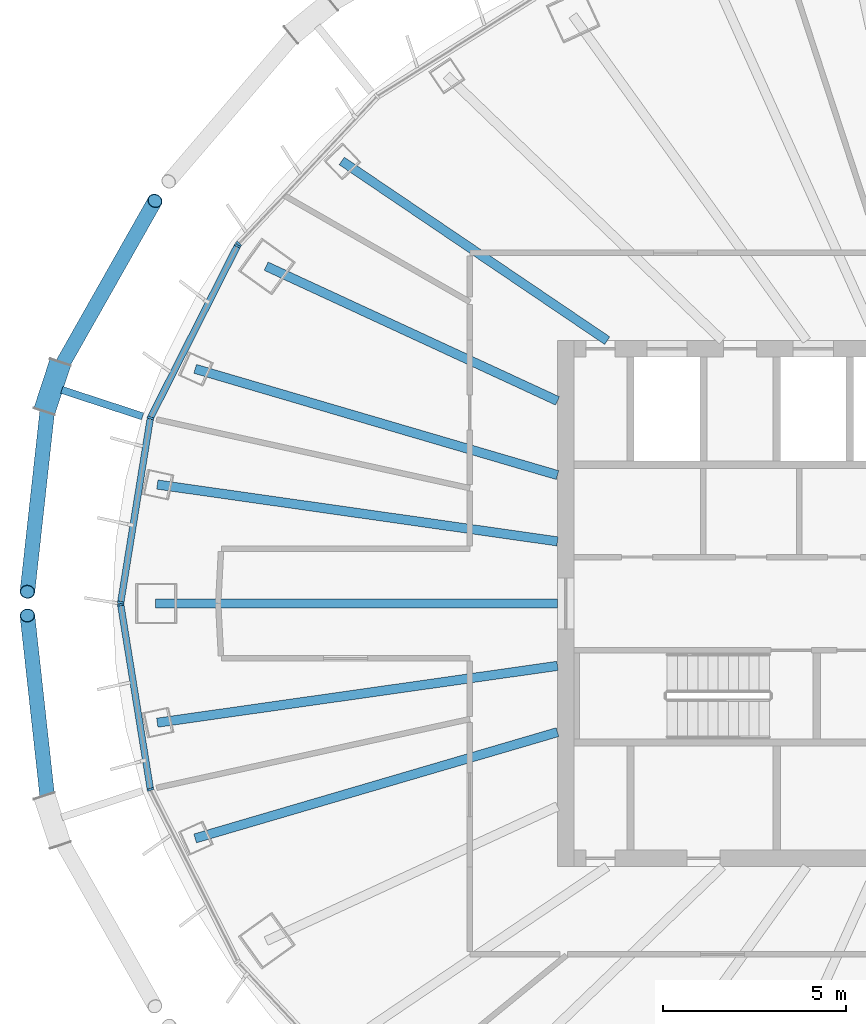
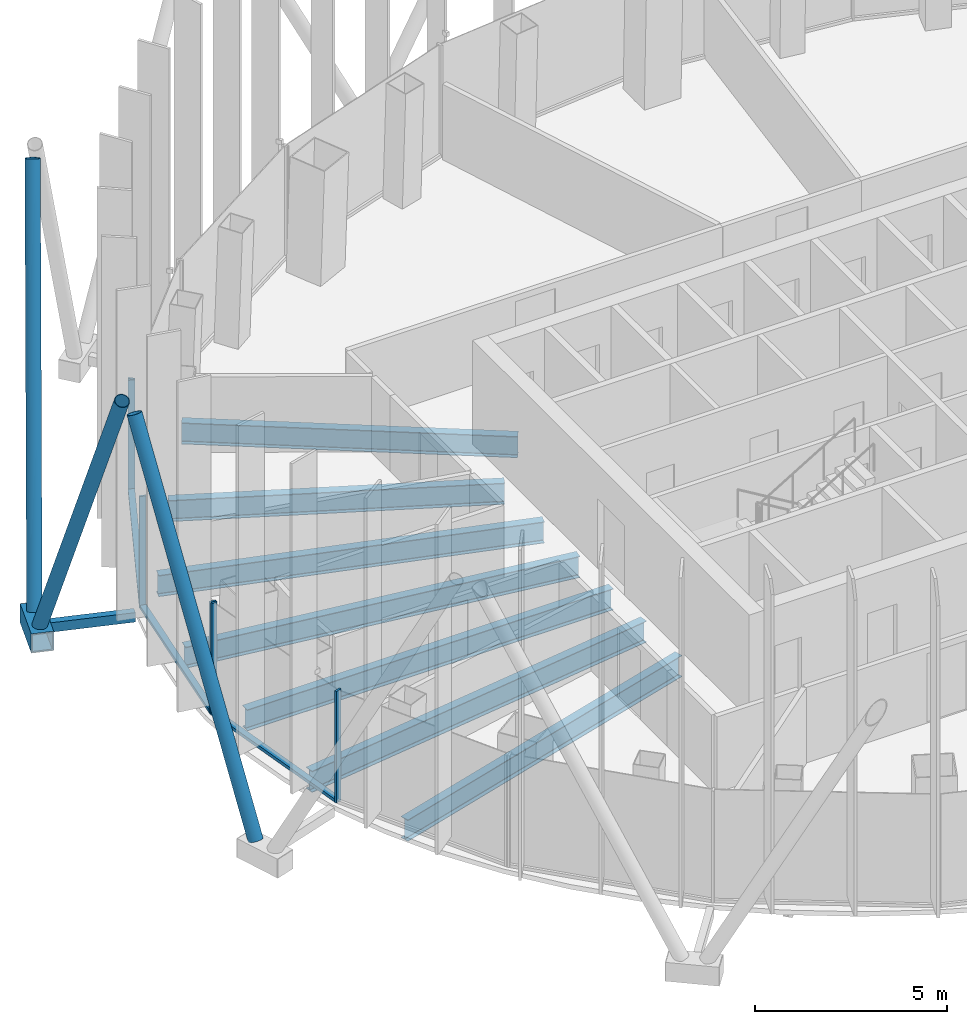
# One storey, part 4 of 18: 14 members, 7 beams, 3 elements without a shape of their own.
"""IFC4 building model written with IfcOpenShell, lengths in metres."""

from ifc_helpers import new_model, si_unit, direction, frame, origin, origin_2d, place, context, subcontext, project, spatial, rectangle, hollow_rectangle, hollow_circle, i_section, extrude, material, layer, layer_set, material_profile, profile_set, type_object, element, aggregate, save


model = new_model("IFC4")

# Units and contexts
model_context = context("Model", 3, precision=1e-05, world=origin(), true_north=direction((0.0, 1.0)))
body_context = subcontext(model_context, "Body", "Model", "MODEL_VIEW")
ifc_project = project(units=[si_unit("LENGTHUNIT", "METRE"), si_unit("AREAUNIT", "SQUARE_METRE"), si_unit("VOLUMEUNIT", "CUBIC_METRE"), si_unit("PLANEANGLEUNIT", "RADIAN"), si_unit("MASSUNIT", "GRAM", prefix="KILO")], contexts=[model_context])

# Site, building, storey
site_placement = place(None, origin())
site = spatial("IfcSite", under=ifc_project, at=site_placement, CompositionType="ELEMENT")
building_placement = place(site_placement, origin())
building = spatial("IfcBuilding", under=site, at=building_placement, Name="Siaravel Broadcast Tower", CompositionType="ELEMENT")
storey_placement = place(building_placement, frame((0.0, 0.0, 157.10009765625)))
storey = spatial("IfcBuildingStorey", under=building, at=storey_placement, Name="L37", CompositionType="ELEMENT", Elevation=157.10009765625)

# Beams
ifc_material_1 = material(Name="Steel S355", Category="steel")
ifc_material_profile_1 = material_profile(ifc_material_1, i_section(OverallWidth=0.2529296875, OverallDepth=0.677978515625, WebThickness=0.01171875, FlangeThickness=0.01611328125, FilletRadius=0.01513671875, at=origin_2d()))
ifc_profile_set_1 = profile_set([ifc_material_profile_1], Name="Steel S355")
beam_type = type_object("IfcBeamType", Name="BM-UB 686x254x125", PredefinedType="BEAM", material=ifc_profile_set_1)
beam_1_placement = place(storey_placement, frame((-17.906494140625, 12.119140625, -0.489013671875), z_axis=(0.82815695, -0.560496268, 0.0), x_axis=(0.560496268, 0.82815695, 0.0)))
element("IfcBeam", 1, at=beam_1_placement, inside=storey, type_object=beam_type, Name="Radial beam RB15", PredefinedType="BEAM", context=body_context, shape_type="SweptSolid", body=[
    extrude(i_section(OverallWidth=0.2529296875, OverallDepth=0.677978515625, WebThickness=0.01171875, FlangeThickness=0.01611328125, FilletRadius=0.01513671875, at=origin_2d()), origin(), (0.0, 0.0, 1.0), 8.7763671875),
])
beam_2_placement = place(storey_placement, frame((-19.976318359375, 9.238525390625, -0.489013671875), z_axis=(0.907641197, -0.419746896, 0.0), x_axis=(0.419746896, 0.907641197, 0.0)))
element("IfcBeam", 2, at=beam_2_placement, inside=storey, type_object=beam_type, Name="Radial beam RB16", PredefinedType="BEAM", context=body_context, shape_type="SweptSolid", body=[
    extrude(i_section(OverallWidth=0.2529296875, OverallDepth=0.677978515625, WebThickness=0.01171875, FlangeThickness=0.01611328125, FilletRadius=0.01513671875, at=origin_2d()), origin(), (0.0, 0.0, 1.0), 8.7880859375),
])
beam_3_placement = place(storey_placement, frame((-21.920166015625, 6.42822265625, -0.489013671875), z_axis=(0.9595882, -0.281408043, 0.0), x_axis=(0.281408043, 0.9595882, 0.0)))
element("IfcBeam", 3, at=beam_3_placement, inside=storey, type_object=beam_type, Name="Radial beam RB17", PredefinedType="BEAM", context=body_context, shape_type="SweptSolid", body=[
    extrude(i_section(OverallWidth=0.2529296875, OverallDepth=0.677978515625, WebThickness=0.01171875, FlangeThickness=0.01611328125, FilletRadius=0.01513671875, at=origin_2d()), origin(), (0.0, 0.0, 1.0), 10.337890625),
])
beam_4_placement = place(storey_placement, frame((-22.95654296875, 3.26025390625, -0.489013671875), z_axis=(0.990063886, -0.140618281, 0.0), x_axis=(0.140618281, 0.990063886, 0.0)))
element("IfcBeam", 4, at=beam_4_placement, inside=storey, type_object=beam_type, Name="Radial beam RB18", PredefinedType="BEAM", context=body_context, shape_type="SweptSolid", body=[
    extrude(i_section(OverallWidth=0.2529296875, OverallDepth=0.677978515625, WebThickness=0.01171875, FlangeThickness=0.01611328125, FilletRadius=0.01513671875, at=origin_2d()), origin(), (0.0, 0.0, 1.0), 11.06640625),
])
beam_5_placement = place(storey_placement, frame((-23.0048828125, 0.0, -0.489013671875), z_axis=(1.0, 0.0, 0.0), x_axis=(0.0, 1.0, 0.0)))
element("IfcBeam", 5, at=beam_5_placement, inside=storey, type_object=beam_type, Name="Radial beam RB19", PredefinedType="BEAM", context=body_context, shape_type="SweptSolid", body=[
    extrude(i_section(OverallWidth=0.2529296875, OverallDepth=0.677978515625, WebThickness=0.01171875, FlangeThickness=0.01611328125, FilletRadius=0.01513671875, at=origin_2d()), origin(), (0.0, 0.0, 1.0), 11.0048828125),
])
beam_6_placement = place(storey_placement, frame((-22.95654296875, -3.26025390625, -0.489013671875), z_axis=(0.990063886, 0.140618281, 0.0), x_axis=(-0.140618281, 0.990063886, 0.0)))
element("IfcBeam", 6, at=beam_6_placement, inside=storey, type_object=beam_type, Name="Radial beam RB20", PredefinedType="BEAM", context=body_context, shape_type="SweptSolid", body=[
    extrude(i_section(OverallWidth=0.2529296875, OverallDepth=0.677978515625, WebThickness=0.01171875, FlangeThickness=0.01611328125, FilletRadius=0.01513671875, at=origin_2d()), origin(), (0.0, 0.0, 1.0), 11.06640625),
])
beam_7_placement = place(storey_placement, frame((-21.920166015625, -6.42822265625, -0.489013671875), z_axis=(0.9595882, 0.281408043, 0.0), x_axis=(-0.281408043, 0.9595882, 0.0)))
element("IfcBeam", 7, at=beam_7_placement, inside=storey, type_object=beam_type, Name="Radial beam RB21", PredefinedType="BEAM", context=body_context, shape_type="SweptSolid", body=[
    extrude(i_section(OverallWidth=0.2529296875, OverallDepth=0.677978515625, WebThickness=0.01171875, FlangeThickness=0.01611328125, FilletRadius=0.01513671875, at=origin_2d()), origin(), (0.0, 0.0, 1.0), 10.337890625),
])

# Curtain wall, member
ifc_material_2 = material(Name="Aluminium 6063-T6", Category="aluminium")
ifc_layer = layer(ifc_material_2, 0.179931640625)
ifc_layer_set = layer_set([ifc_layer], Name="Aluminium 6063-T6")
curtain_wall_type = type_object("IfcCurtainWallType", Name="Unitised curtain wall, zone 3", PredefinedType="NOTDEFINED", material=ifc_layer_set)
curtain_wall_1_placement = place(storey_placement, origin())
curtain_wall_1 = element("IfcCurtainWall", 8, at=curtain_wall_1_placement, inside=storey, type_object=curtain_wall_type, Name="L37 Unitised curtain wall, zone 3 05", PredefinedType="NOTDEFINED")
ifc_material_profile_2 = material_profile(ifc_material_2, rectangle(XDim=0.179931640625, YDim=0.06005859375, at=origin_2d()))
ifc_profile_set_2 = profile_set([ifc_material_profile_2], Name="Aluminium 6063-T6")
member_type_1 = type_object("IfcMemberType", Name="CW-Z3 mullion", PredefinedType="MULLION", material=ifc_profile_set_2)
member_1_placement = place(storey_placement, frame((-20.7294921875, 9.844482421875, 0.0), z_axis=(0.0, 0.0, 1.0), x_axis=(0.729806172, -0.683654117, 0.0)))
member_1 = element("IfcMember", 9, at=member_1_placement, type_object=member_type_1, Name="CW-Z3 mullion 3", PredefinedType="MULLION", context=body_context, shape_type="SweptSolid", body=[
    extrude(rectangle(XDim=0.179931640625, YDim=0.06005859375, at=origin_2d()), origin(), (0.0, 0.0, 1.0), 3.5498046875),
])
aggregate(curtain_wall_1, [member_1])

# Curtain wall, members
curtain_wall_2_placement = place(storey_placement, origin())
curtain_wall_2 = element("IfcCurtainWall", 10, at=curtain_wall_2_placement, inside=storey, type_object=curtain_wall_type, Name="L37 Unitised curtain wall, zone 3 06", PredefinedType="NOTDEFINED")
member_2_placement = place(storey_placement, frame((-20.763427734375, 9.795654296875, 0.0), z_axis=(0.0, 0.0, 1.0), x_axis=(0.89239259, -0.451259864, 0.0)))
member_2 = element("IfcMember", 11, at=member_2_placement, type_object=member_type_1, Name="CW-Z3 mullion 1", PredefinedType="MULLION", context=body_context, shape_type="SweptSolid", body=[
    extrude(rectangle(XDim=0.179931640625, YDim=0.06005859375, at=origin_2d()), origin(), (0.0, 0.0, 1.0), 3.5498046875),
])
member_3_placement = place(storey_placement, frame((-23.1455078125, 5.085205078125, 0.0), z_axis=(0.0, 0.0, 1.0), x_axis=(0.951177457, -0.30864453, 0.0)))
member_3 = element("IfcMember", 12, at=member_3_placement, type_object=member_type_1, Name="CW-Z3 mullion 2", PredefinedType="MULLION", context=body_context, shape_type="SweptSolid", body=[
    extrude(rectangle(XDim=0.179931640625, YDim=0.06005859375, at=origin_2d()), origin(), (0.0, 0.0, 1.0), 3.5498046875),
])
member_4_placement = place(storey_placement, frame((-23.9580078125, 0.029541015625, 0.0), z_axis=(0.0, 0.0, 1.0), x_axis=(0.987329251, -0.158685063, 0.0)))
member_4 = element("IfcMember", 13, at=member_4_placement, type_object=member_type_1, Name="CW-Z3 mullion 3", PredefinedType="MULLION", context=body_context, shape_type="SweptSolid", body=[
    extrude(rectangle(XDim=0.179931640625, YDim=0.06005859375, at=origin_2d()), origin(), (0.0, 0.0, 1.0), 3.5498046875),
])

curtain_wall_3_placement = place(storey_placement, origin())
curtain_wall_3 = element("IfcCurtainWall", 14, at=curtain_wall_3_placement, inside=storey, type_object=curtain_wall_type, Name="L37 Unitised curtain wall, zone 3 07", PredefinedType="NOTDEFINED")
member_5_placement = place(storey_placement, frame((-23.9580078125, -0.029541015625, 0.0), z_axis=(0.0, 0.0, 1.0), x_axis=(0.987329251, 0.158685063, 0.0)))
member_5 = element("IfcMember", 15, at=member_5_placement, type_object=member_type_1, Name="CW-Z3 mullion 1", PredefinedType="MULLION", context=body_context, shape_type="SweptSolid", body=[
    extrude(rectangle(XDim=0.179931640625, YDim=0.06005859375, at=origin_2d()), origin(), (0.0, 0.0, 1.0), 3.5498046875),
])
member_6_placement = place(storey_placement, frame((-23.1455078125, -5.085205078125, 0.0), z_axis=(0.0, 0.0, 1.0), x_axis=(0.951177457, 0.30864453, 0.0)))
member_6 = element("IfcMember", 16, at=member_6_placement, type_object=member_type_1, Name="CW-Z3 mullion 2", PredefinedType="MULLION", context=body_context, shape_type="SweptSolid", body=[
    extrude(rectangle(XDim=0.179931640625, YDim=0.06005859375, at=origin_2d()), origin(), (0.0, 0.0, 1.0), 3.5498046875),
])

# Member
ifc_material_profile_3 = material_profile(ifc_material_2, rectangle(XDim=0.179931640625, YDim=0.10009765625, at=origin_2d()))
ifc_profile_set_3 = profile_set([ifc_material_profile_3], Name="Aluminium 6063-T6")
member_type_2 = type_object("IfcMemberType", Name="CW-Z3 transom", PredefinedType="USERDEFINED", material=ifc_profile_set_3)
member_7_placement = place(storey_placement, frame((-20.777099609375, 9.768798828125, 0.0498046875), z_axis=(-0.451269759, -0.892387586, 0.0), x_axis=(0.892387586, -0.451269759, 0.0)))
member_7 = element("IfcMember", 17, at=member_7_placement, type_object=member_type_2, Name="CW-Z3 transom 1", ObjectType="TRANSOM", PredefinedType="USERDEFINED", context=body_context, shape_type="SweptSolid", body=[
    extrude(rectangle(XDim=0.179931640625, YDim=0.10009765625, at=origin_2d()), origin(), (0.0, 0.0, 1.0), 5.218505859375),
])

member_8_placement = place(storey_placement, frame((-23.150390625, 5.055419921875, 0.0498046875), z_axis=(-0.158677256, -0.987330506, 0.0), x_axis=(0.987330506, -0.158677256, 0.0)))
member_8 = element("IfcMember", 18, at=member_8_placement, type_object=member_type_2, Name="CW-Z3 transom 2", ObjectType="TRANSOM", PredefinedType="USERDEFINED", context=body_context, shape_type="SweptSolid", body=[
    extrude(rectangle(XDim=0.179931640625, YDim=0.10009765625, at=origin_2d()), origin(), (0.0, 0.0, 1.0), 5.060546875),
])

aggregate(curtain_wall_2, [member_2, member_3, member_4, member_7, member_8])

member_9_placement = place(storey_placement, frame((-23.953369140625, -0.05908203125, 0.0498046875), z_axis=(0.158677256, -0.987330506, 0.0), x_axis=(0.987330506, 0.158677256, 0.0)))
member_9 = element("IfcMember", 19, at=member_9_placement, type_object=member_type_2, Name="CW-Z3 transom 1", ObjectType="TRANSOM", PredefinedType="USERDEFINED", context=body_context, shape_type="SweptSolid", body=[
    extrude(rectangle(XDim=0.179931640625, YDim=0.10009765625, at=origin_2d()), origin(), (0.0, 0.0, 1.0), 5.060546875),
])

aggregate(curtain_wall_3, [member_5, member_6, member_9])

# Members
ifc_material_3 = material(Name="Steel S460", Category="steel")
ifc_material_profile_4 = material_profile(ifc_material_3, hollow_circle(Radius=0.203125, WallThickness=0.01611328125, at=origin_2d()))
ifc_profile_set_4 = profile_set([ifc_material_profile_4], Name="Steel S460")
member_type_3 = type_object("IfcMemberType", Name="Diagrid diagonal CHS 406.4x16", PredefinedType="BRACE", material=ifc_profile_set_4)
member_10_placement = place(storey_placement, frame((-25.729248046875, 6.24267578125, 0.06982421875), z_axis=(0.227518555, 0.401864003, 0.886984008), x_axis=(-0.870211955, 0.492677534, 0.0)))
element("IfcMember", 20, at=member_10_placement, inside=storey, type_object=member_type_3, Name="Diagrid diagonal R16 station 33C", PredefinedType="BRACE", context=body_context, shape_type="SweptSolid", body=[
    extrude(hollow_circle(Radius=0.203125, WallThickness=0.01611328125, at=origin_2d()), origin(), (0.0, 0.0, 1.0), 11.905517578125),
])
for number, where, z_axis, x_axis, name in (
    (21, (-25.930419921875, 5.627685546875, 0.06982421875), (-0.049213289, -0.448305208, 0.892524785), (0.994028499, -0.109120776, 0.0), "Diagrid diagonal R16 station 33A"),
    (22, (-25.930419921875, -5.627685546875, 0.06982421875), (-0.049213289, 0.448305208, 0.892524785), (-0.994028499, -0.109120776, 0.0), "Diagrid diagonal R16 station 39C"),
):
    element("IfcMember", number, at=place(storey_placement, frame(where, z_axis=z_axis, x_axis=x_axis)), inside=storey, type_object=member_type_3, Name=name, PredefinedType="BRACE", context=body_context, shape_type="SweptSolid", body=[
        extrude(hollow_circle(Radius=0.203125, WallThickness=0.01611328125, at=origin_2d()), origin(), (0.0, 0.0, 1.0), 11.831787109375),
    ])
ifc_material_profile_5 = material_profile(ifc_material_3, hollow_rectangle(XDim=0.60009765625, YDim=0.60009765625, WallThickness=0.0400390625, at=origin_2d()))
ifc_profile_set_5 = profile_set([ifc_material_profile_5], Name="Steel S460")
member_type_4 = type_object("IfcMemberType", Name="Diagrid node BOX 600x600x40", PredefinedType="USERDEFINED", material=ifc_profile_set_5)
member_11_placement = place(storey_placement, frame((-25.6123046875, 6.600341796875, -0.2001953125), z_axis=(-0.310990364, -0.950413065, 0.0), x_axis=(0.950413065, -0.310990364, 0.0)))
element("IfcMember", 23, at=member_11_placement, inside=storey, type_object=member_type_4, Name="Diagrid node R16 station 33", ObjectType="DIAGRID NODE", PredefinedType="USERDEFINED", context=body_context, shape_type="SweptSolid", body=[
    extrude(hollow_rectangle(XDim=0.60009765625, YDim=0.60009765625, WallThickness=0.0400390625, at=origin_2d()), origin(), (0.0, 0.0, 1.0), 1.399658203125),
])
ifc_material_profile_6 = material_profile(ifc_material_3, hollow_rectangle(XDim=0.199951171875, YDim=0.300048828125, WallThickness=0.012451171875, at=origin_2d()))
ifc_profile_set_6 = profile_set([ifc_material_profile_6], Name="Steel S460")
member_type_5 = type_object("IfcMemberType", Name="Diagrid node arm RHS 300x200x12.5", PredefinedType="STRUT", material=ifc_profile_set_6)
member_12_placement = place(storey_placement, frame((-23.35888671875, 5.126708984375, -0.2001953125), z_axis=(-0.950408392, 0.311004643, 0.0), x_axis=(-0.311004643, -0.950408392, 0.0)))
element("IfcMember", 24, at=member_12_placement, inside=storey, type_object=member_type_5, Name="Node arm R16 station 33", PredefinedType="STRUT", context=body_context, shape_type="SweptSolid", body=[
    extrude(hollow_rectangle(XDim=0.199951171875, YDim=0.300048828125, WallThickness=0.012451171875, at=origin_2d()), origin(), (0.0, 0.0, 1.0), 2.329833984375),
])

save(model, "model.ifc")
